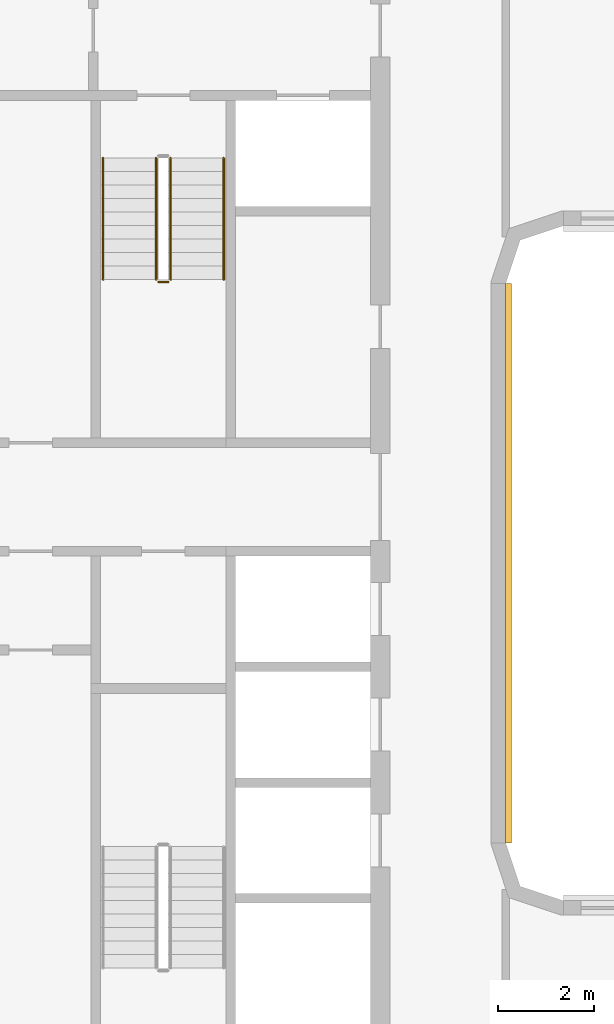
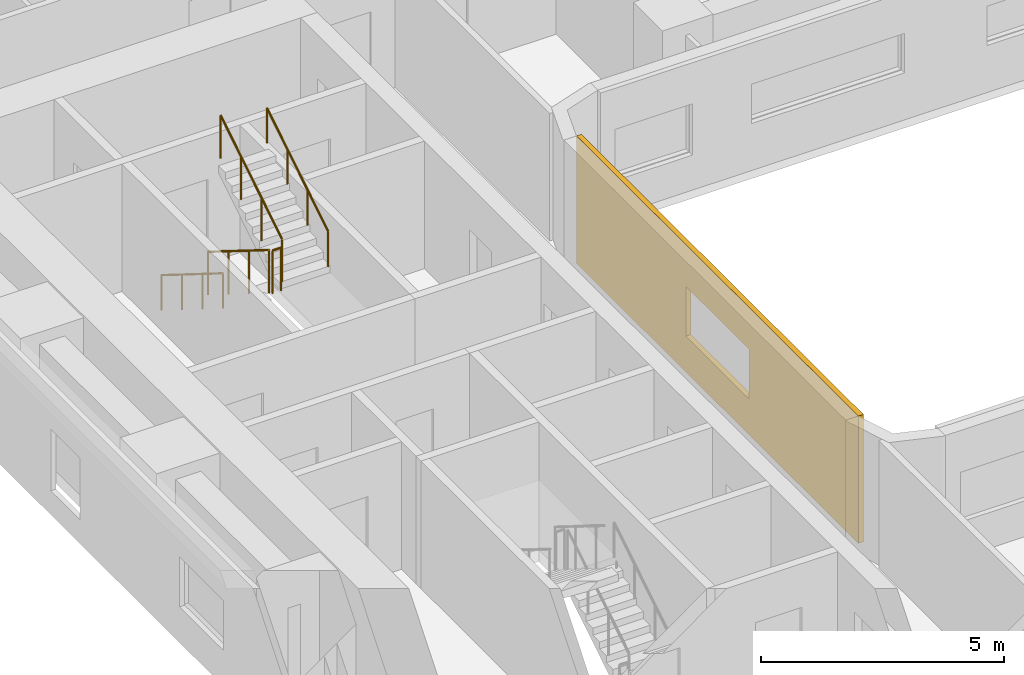
# One storey, part 14 of 21: 5 railings, 1 covering.
"""IFC4 building model written with IfcOpenShell, lengths in metres."""

from ifc_helpers import new_model, si_unit, direction, frame, origin, origin_2d, place, context, subcontext, project, spatial, polyline, circle, outline, extrude, material, layer, layer_set, type_object, element, save


model = new_model("IFC4")

# Units and contexts
model_context = context("Model", 3, precision=1e-05, world=origin(), true_north=direction((0.0, 1.0)))
body_context = subcontext(model_context, "Body", "Model", "MODEL_VIEW")
ifc_project = project(units=[si_unit("LENGTHUNIT", "METRE"), si_unit("AREAUNIT", "SQUARE_METRE"), si_unit("VOLUMEUNIT", "CUBIC_METRE"), si_unit("PLANEANGLEUNIT", "RADIAN"), si_unit("MASSUNIT", "GRAM", prefix="KILO")], contexts=[model_context])

# Site, building, storey
site_placement = place(None, origin())
site = spatial("IfcSite", under=ifc_project, at=site_placement, CompositionType="ELEMENT")
building_placement = place(site_placement, origin())
building = spatial("IfcBuilding", under=site, at=building_placement, Name="Kiln Ring Residences", CompositionType="ELEMENT")
storey_placement = place(building_placement, frame((0.0, 0.0, 34.0)))
storey = spatial("IfcBuildingStorey", under=building, at=storey_placement, Name="L07", CompositionType="ELEMENT", Elevation=34.0)

# Railings
ifc_material_1 = material(Name="Stainless steel", Category="steel")
railing_type_1 = type_object("IfcRailingType", Name="CORE-STAIR-GUARD", PredefinedType="GUARDRAIL", material=ifc_material_1)
railing_1_placement = place(storey_placement, frame((-22.25, 8.39990234375, 0.175048828125)))
element("IfcRailing", 1, at=railing_1_placement, inside=storey, type_object=railing_type_1, Name="L07 W-STN stair guard 1", PredefinedType="GUARDRAIL", context=body_context, shape_type="SweptSolid", body=[
    extrude(circle(Radius=0.02392578125, at=origin_2d()), frame((0.0, 0.0, 1.076171875), z_axis=(0.0, -0.848007534815, 0.529984170421), x_axis=(1.0, 0.0, 0.0)), (0.0, 0.0, 1.0), 2.9716796875),
    extrude(circle(Radius=0.02099609375, at=origin_2d()), origin(), (0.0, 0.0, 1.0), 1.052001953125),
    extrude(circle(Radius=0.02099609375, at=origin_2d()), frame((0.0, -0.840087890625, 0.52490234375)), (0.0, 0.0, 1.0), 1.052001953125),
    extrude(circle(Radius=0.02099609375, at=origin_2d()), frame((0.0, -1.679931640625, 1.050048828125)), (0.0, 0.0, 1.0), 1.052001953125),
    extrude(circle(Radius=0.02099609375, at=origin_2d()), frame((0.0, -2.52001953125, 1.574951171875)), (0.0, 0.0, 1.0), 1.052001953125),
])
railing_2_placement = place(storey_placement, frame((-22.199951171875, 5.830078125, 1.75)))
element("IfcRailing", 2, at=railing_2_placement, inside=storey, type_object=railing_type_1, Name="L07 W-STN stair guard 2", PredefinedType="GUARDRAIL", context=body_context, shape_type="SweptSolid", body=[
    extrude(circle(Radius=0.02392578125, at=origin_2d()), frame((0.0, 0.0, 1.076171875), z_axis=(1.0, 0.0, 0.0), x_axis=(0.0, 1.0, 0.0)), (0.0, 0.0, 1.0), 0.199951171875),
    extrude(circle(Radius=0.02099609375, at=origin_2d()), origin(), (0.0, 0.0, 1.0), 1.052001953125),
    extrude(circle(Radius=0.02099609375, at=origin_2d()), frame((0.199951171875, 0.0, 0.0)), (0.0, 0.0, 1.0), 1.052001953125),
])
railing_3_placement = place(storey_placement, frame((-21.949951171875, 5.8798828125, 1.925048828125)))
element("IfcRailing", 3, at=railing_3_placement, inside=storey, type_object=railing_type_1, Name="L07 W-STN stair guard 3", PredefinedType="GUARDRAIL", context=body_context, shape_type="SweptSolid", body=[
    extrude(circle(Radius=0.02392578125, at=origin_2d()), frame((0.0, 0.0, 1.076171875), z_axis=(0.0, 0.848007534815, 0.529984170421), x_axis=(-1.0, 0.0, 0.0)), (0.0, 0.0, 1.0), 2.9716796875),
    extrude(circle(Radius=0.02099609375, at=origin_2d()), origin(), (0.0, 0.0, 1.0), 1.052001953125),
    extrude(circle(Radius=0.02099609375, at=origin_2d()), frame((0.0, 0.840087890625, 0.52490234375)), (0.0, 0.0, 1.0), 1.052001953125),
    extrude(circle(Radius=0.02099609375, at=origin_2d()), frame((0.0, 1.679931640625, 1.050048828125)), (0.0, 0.0, 1.0), 1.052001953125),
    extrude(circle(Radius=0.02099609375, at=origin_2d()), frame((0.0, 2.52001953125, 1.574951171875)), (0.0, 0.0, 1.0), 1.052001953125),
])
ifc_material_2 = material(Name="Stainless steel", Category="steel")
railing_type_2 = type_object("IfcRailingType", Name="CORE-STAIR-HANDRAIL", PredefinedType="HANDRAIL", material=ifc_material_2)
railing_4_placement = place(storey_placement, frame((-23.35009765625, 8.39990234375, 0.175048828125)))
element("IfcRailing", 4, at=railing_4_placement, inside=storey, type_object=railing_type_2, Name="L07 W-STN stair handrail 1", PredefinedType="HANDRAIL", context=body_context, shape_type="SweptSolid", body=[
    extrude(circle(Radius=0.02392578125, at=origin_2d()), frame((0.0, 0.0, 0.8759765625), z_axis=(0.0, -0.848007534815, 0.529984170421), x_axis=(1.0, 0.0, 0.0)), (0.0, 0.0, 1.0), 2.9716796875),
    extrude(circle(Radius=0.02099609375, at=origin_2d()), origin(), (0.0, 0.0, 1.0), 0.851806640625),
    extrude(circle(Radius=0.02099609375, at=origin_2d()), frame((0.0, -0.840087890625, 0.52490234375)), (0.0, 0.0, 1.0), 0.851806640625),
    extrude(circle(Radius=0.02099609375, at=origin_2d()), frame((0.0, -1.679931640625, 1.050048828125)), (0.0, 0.0, 1.0), 0.851806640625),
    extrude(circle(Radius=0.02099609375, at=origin_2d()), frame((0.0, -2.52001953125, 1.574951171875)), (0.0, 0.0, 1.0), 0.851806640625),
])
railing_5_placement = place(storey_placement, frame((-20.85009765625, 5.8798828125, 1.925048828125)))
element("IfcRailing", 5, at=railing_5_placement, inside=storey, type_object=railing_type_2, Name="L07 W-STN stair handrail 2", PredefinedType="HANDRAIL", context=body_context, shape_type="SweptSolid", body=[
    extrude(circle(Radius=0.02392578125, at=origin_2d()), frame((0.0, 0.0, 0.8759765625), z_axis=(0.0, 0.848007534815, 0.529984170421), x_axis=(-1.0, 0.0, 0.0)), (0.0, 0.0, 1.0), 2.9716796875),
    extrude(circle(Radius=0.02099609375, at=origin_2d()), origin(), (0.0, 0.0, 1.0), 0.851806640625),
    extrude(circle(Radius=0.02099609375, at=origin_2d()), frame((0.0, 0.840087890625, 0.52490234375)), (0.0, 0.0, 1.0), 0.851806640625),
    extrude(circle(Radius=0.02099609375, at=origin_2d()), frame((0.0, 1.679931640625, 1.050048828125)), (0.0, 0.0, 1.0), 0.851806640625),
    extrude(circle(Radius=0.02099609375, at=origin_2d()), frame((0.0, 2.52001953125, 1.574951171875)), (0.0, 0.0, 1.0), 0.851806640625),
])

# Covering
ifc_material_3 = material(Name="Brick masonry, dark clay brick", Category="masonry")
ifc_layer = layer(ifc_material_3, 0.1201171875)
ifc_layer_set = layer_set([ifc_layer], Name="RAINSCREEN PANEL 120")
covering_type = type_object("IfcCoveringType", Name="RAINSCREEN PANEL 120", PredefinedType="CLADDING", material=ifc_layer_set)
covering_placement = place(storey_placement, frame((-14.93994140625, -5.800048828125, 0.0), z_axis=(0.0, 0.0, 1.0), x_axis=(0.0, 1.0, 0.0)))
element("IfcCovering", 6, at=covering_placement, inside=storey, type_object=covering_type, Name="RAINSCREEN L07", PredefinedType="CLADDING", context=body_context, shape_type="SweptSolid", body=[
    extrude(outline(polyline([(0.0, 0.0), (11.60009765625, 0.0), (11.60009765625, 3.199951171875), (0.0, 3.199951171875), (0.0, 0.0)]), holes=[polyline([(4.5, 2.14990234375), (4.5, 0.89990234375), (7.10009765625, 0.89990234375), (7.10009765625, 2.14990234375), (4.5, 2.14990234375)])]), frame((0.0, 0.06005859375, 0.0), z_axis=(0.0, -1.0, 0.0), x_axis=(1.0, 0.0, 0.0)), (0.0, 0.0, 1.0), 0.1201171875),
])

save(model, "model.ifc")
